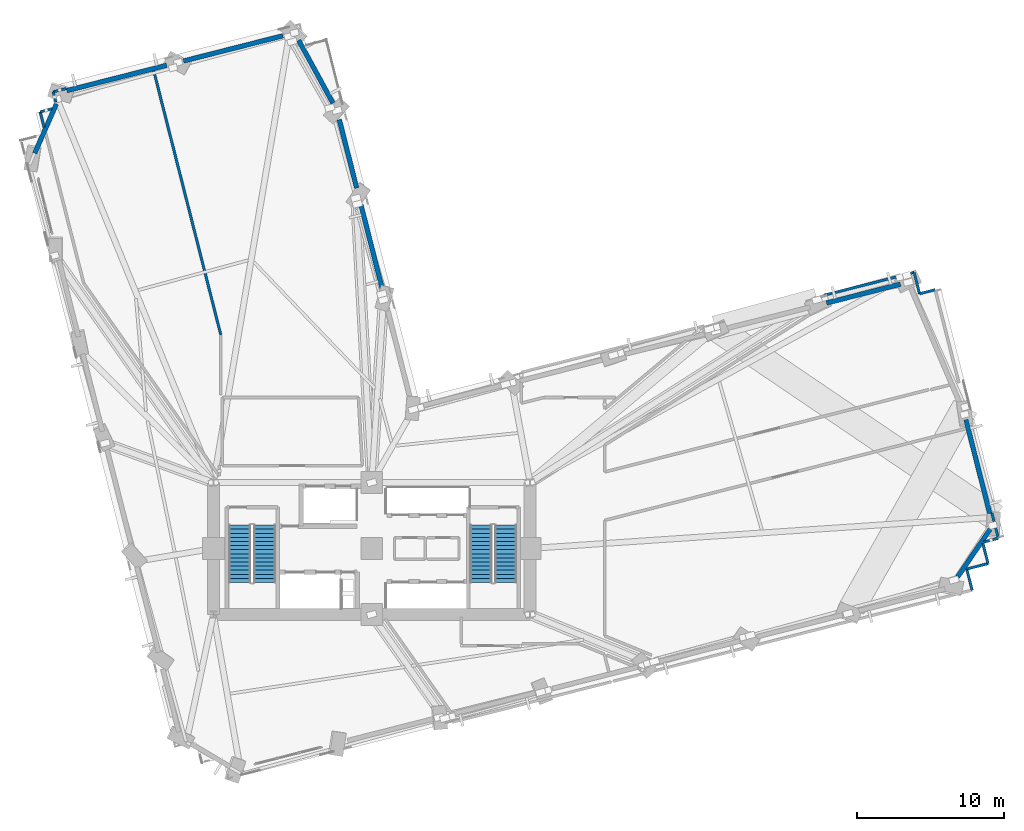
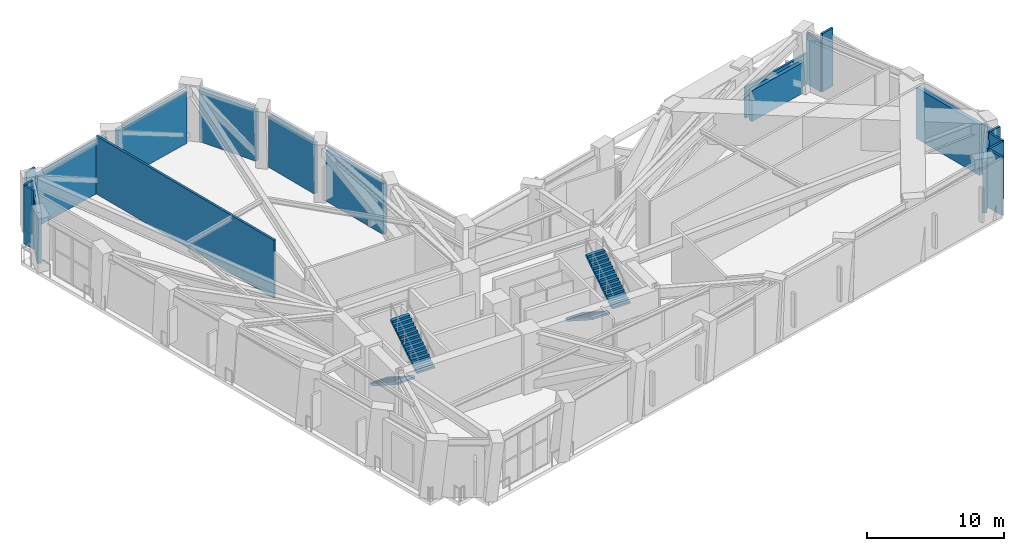
# One storey, part 12 of 17: 22 walls, 4 stair flights, 2 elements without a shape of their own.
"""IFC4 building model written with IfcOpenShell, lengths in metres."""

from ifc_helpers import new_model, si_unit, direction, frame, frame_2d, origin, place, context, subcontext, project, spatial, polyline, rectangle, outline, extrude, material, layer, layer_set, type_object, element, aggregate, save


model = new_model("IFC4")

# Units and contexts
model_context = context("Model", 3, precision=1e-05, world=origin(), true_north=direction((0.0, 1.0)))
body_context = subcontext(model_context, "Body", "Model", "MODEL_VIEW")
ifc_project = project(units=[si_unit("LENGTHUNIT", "METRE"), si_unit("AREAUNIT", "SQUARE_METRE"), si_unit("VOLUMEUNIT", "CUBIC_METRE"), si_unit("PLANEANGLEUNIT", "RADIAN"), si_unit("MASSUNIT", "GRAM", prefix="KILO")], contexts=[model_context])

# Site, building, storey
site_placement = place(None, origin())
site = spatial("IfcSite", under=ifc_project, at=site_placement, CompositionType="ELEMENT")
building_placement = place(site_placement, origin())
building = spatial("IfcBuilding", under=site, at=building_placement, Name="Gaonmaruhae Medical Tower", CompositionType="ELEMENT")
storey_placement = place(building_placement, frame((0.0, 0.0, 83.0)))
storey = spatial("IfcBuildingStorey", under=building, at=storey_placement, Name="L19", CompositionType="ELEMENT", Elevation=83.0)

# Walls
ifc_material_1 = material(Name="Precast concrete C45/55", Category="concrete")
ifc_layer_1 = layer(ifc_material_1, 0.320068359375)
ifc_layer_set_1 = layer_set([ifc_layer_1], Name="Precast concrete C45/55")
wall_type_1 = type_object("IfcWallType", Name="EW-320 Lower Precast Masonry-Frame Facade Wall", PredefinedType="SOLIDWALL", material=ifc_layer_set_1)
wall_1_placement = place(storey_placement, frame((66.990234375, 13.61181640625, 0.0), z_axis=(0.0, 0.0, 1.0), x_axis=(-0.563562481337, -0.826073440821, 0.0)))
element("IfcWall", 1, at=wall_1_placement, inside=storey, type_object=wall_type_1, Name="L19 Precast Masonry-Frame Wall S08-E01", PredefinedType="SOLIDWALL", context=body_context, shape_type="SweptSolid", body=[
    extrude(rectangle(XDim=3.927490234375, YDim=0.320068359375, at=frame_2d((1.9638671875, 0.0))), origin(), (0.0, 0.0, 1.0), 4.544921875),
])
wall_2_placement = place(storey_placement, frame((65.33837890625, 21.095458984375, 0.0), z_axis=(0.0, 0.0, 1.0), x_axis=(0.246166513037, -0.969227552156, 0.0)))
element("IfcWall", 2, at=wall_2_placement, inside=storey, type_object=wall_type_1, Name="L19 Precast Masonry-Frame Wall E01-E02", PredefinedType="SOLIDWALL", context=body_context, shape_type="SweptSolid", body=[
    extrude(rectangle(XDim=6.610107421875, YDim=0.320068359375, at=frame_2d((3.30517578125, 0.0))), origin(), (0.0, 0.0, 1.0), 4.544921875),
])
wall_3_placement = place(storey_placement, frame((55.826904296875, 29.052001953125, 0.0), z_axis=(0.0, 0.0, 1.0), x_axis=(0.969228639236, 0.246162232858, 0.0)))
element("IfcWall", 3, at=wall_3_placement, inside=storey, type_object=wall_type_1, Name="L19 Precast Masonry-Frame Wall E03-EN01", PredefinedType="SOLIDWALL", context=body_context, shape_type="SweptSolid", body=[
    extrude(rectangle(XDim=5.208984375, YDim=0.320068359375, at=frame_2d((2.6044921875, 0.0))), origin(), (0.0, 0.0, 1.0), 2.7451171875),
])
wall_4_placement = place(storey_placement, frame((25.54052734375, 29.9248046875, 0.0), z_axis=(0.0, 0.0, 1.0), x_axis=(-0.246155060338, 0.969230460866, 0.0)))
element("IfcWall", 4, at=wall_4_placement, inside=storey, type_object=wall_type_1, Name="L19 Precast Masonry-Frame Wall NE01-NE02", PredefinedType="SOLIDWALL", context=body_context, shape_type="SweptSolid", body=[
    extrude(rectangle(XDim=5.99658203125, YDim=0.320068359375, at=frame_2d((2.998291015625, 0.0))), origin(), (0.0, 0.0, 1.0), 4.56494140625),
])
wall_5_placement = place(storey_placement, frame((23.7705078125, 36.894775390625, 0.0), z_axis=(0.0, 0.0, 1.0), x_axis=(-0.246207512537, 0.969217138091, 0.0)))
element("IfcWall", 5, at=wall_5_placement, inside=storey, type_object=wall_type_1, Name="L19 Precast Masonry-Frame Wall NE02-NE03", PredefinedType="SOLIDWALL", context=body_context, shape_type="SweptSolid", body=[
    extrude(rectangle(XDim=4.816162109375, YDim=0.320068359375, at=frame_2d((2.408203125, 0.0))), origin(), (0.0, 0.0, 1.0), 4.56494140625),
])
wall_6_placement = place(storey_placement, frame((19.811279296875, 46.975830078125, 0.0), z_axis=(0.0, 0.0, 1.0), x_axis=(0.479163502838, -0.877725661895, 0.0)))
element("IfcWall", 6, at=wall_6_placement, inside=storey, type_object=wall_type_1, Name="L19 Precast Masonry-Frame Wall NE03-N01", PredefinedType="SOLIDWALL", context=body_context, shape_type="SweptSolid", body=[
    extrude(rectangle(XDim=4.888671875, YDim=0.320068359375, at=frame_2d((2.4443359375, 0.0))), origin(), (0.0, 0.0, 1.0), 4.56494140625),
])
wall_7_placement = place(storey_placement, frame((11.9560546875, 45.56103515625, 0.0), z_axis=(0.0, 0.0, 1.0), x_axis=(0.96922931698, 0.246159564319, 0.0)))
element("IfcWall", 7, at=wall_7_placement, inside=storey, type_object=wall_type_1, Name="L19 Precast Masonry-Frame Wall N01-N02", PredefinedType="SOLIDWALL", context=body_context, shape_type="SweptSolid", body=[
    extrude(rectangle(XDim=7.003173828125, YDim=0.320068359375, at=frame_2d((3.50146484375, 0.0))), origin(), (0.0, 0.0, 1.0), 4.56494140625),
])
wall_8_placement = place(storey_placement, frame((3.98974609375, 43.537841796875, 0.0), z_axis=(0.0, 0.0, 1.0), x_axis=(0.969227220519, 0.246167818783, 0.0)))
element("IfcWall", 8, at=wall_8_placement, inside=storey, type_object=wall_type_1, Name="L19 Precast Masonry-Frame Wall N02-N03", PredefinedType="SOLIDWALL", context=body_context, shape_type="SweptSolid", body=[
    extrude(rectangle(XDim=7.03466796875, YDim=0.320068359375, at=frame_2d((3.517333984375, 0.0))), origin(), (0.0, 0.0, 1.0), 4.56494140625),
])
wall_9_placement = place(storey_placement, frame((1.805419921875, 39.27001953125, 0.0), z_axis=(0.0, 0.0, 1.0), x_axis=(0.40157330608, 0.915826883119, 0.0)))
element("IfcWall", 9, at=wall_9_placement, inside=storey, type_object=wall_type_1, Name="L19 Precast Masonry-Frame Wall N03-W01", PredefinedType="SOLIDWALL", context=body_context, shape_type="SweptSolid", body=[
    extrude(rectangle(XDim=3.666015625, YDim=0.320068359375, at=frame_2d((1.8330078125, 0.0))), origin(), (0.0, 0.0, 1.0), 4.56494140625),
])
ifc_material_2 = material(Name="Gypsum board partition", Category="gypsum")
ifc_layer_2 = layer(ifc_material_2, 0.179931640625)
ifc_layer_set_2 = layer_set([ifc_layer_2], Name="Gypsum board partition")
wall_type_2 = type_object("IfcWallType", Name="PW-180 Refuge & Plant Acoustic Fire Partition", PredefinedType="PARTITIONING", material=ifc_layer_set_2)
wall_10_placement = place(storey_placement, frame((67.111083984375, 14.72607421875, 0.0), z_axis=(0.0, 0.0, 1.0), x_axis=(0.246166068028, -0.969227665181, 0.0)))
element("IfcWall", 10, at=wall_10_placement, inside=storey, type_object=wall_type_2, Name="L19 Interior Partition L19-AHU-29", PredefinedType="PARTITIONING", context=body_context, shape_type="SweptSolid", body=[
    extrude(rectangle(XDim=1.787109375, YDim=0.179931640625, at=frame_2d((0.8935546875, 0.0))), origin(), (0.0, 0.0, 1.0), 4.544921875),
])
wall_11_placement = place(storey_placement, frame((67.551025390625, 12.993896484375, 0.0), z_axis=(0.0, 0.0, 1.0), x_axis=(-0.969165631774, -0.246410182801, 0.0)))
element("IfcWall", 11, at=wall_11_placement, inside=storey, type_object=wall_type_2, Name="L19 Interior Partition L19-AHU-30", PredefinedType="PARTITIONING", context=body_context, shape_type="SweptSolid", body=[
    extrude(rectangle(XDim=1.0224609375, YDim=0.179931640625, at=frame_2d((0.51123046875, 0.0))), origin(), (0.0, 0.0, 1.0), 5.179931640625),
])
wall_12_placement = place(storey_placement, frame((66.501953125, 12.656982421875, 0.0), z_axis=(0.0, 0.0, 1.0), x_axis=(0.245864001787, -0.969304334368, 0.0)))
element("IfcWall", 12, at=wall_12_placement, inside=storey, type_object=wall_type_2, Name="L19 Interior Partition L19-AHU-31", PredefinedType="PARTITIONING", context=body_context, shape_type="SweptSolid", body=[
    extrude(rectangle(XDim=1.431884765625, YDim=0.179931640625, at=frame_2d((0.7158203125, 0.0))), origin(), (0.0, 0.0, 1.0), 5.179931640625),
])
wall_13_placement = place(storey_placement, frame((66.85400390625, 11.26904296875, 0.0), z_axis=(0.0, 0.0, 1.0), x_axis=(-0.969255415499, -0.246056781101, 0.0)))
element("IfcWall", 13, at=wall_13_placement, inside=storey, type_object=wall_type_2, Name="L19 Interior Partition L19-AHU-32", PredefinedType="PARTITIONING", context=body_context, shape_type="SweptSolid", body=[
    extrude(rectangle(XDim=1.500244140625, YDim=0.179931640625, at=frame_2d((0.75, 0.0))), origin(), (0.0, 0.0, 1.0), 5.179931640625),
])
wall_14_placement = place(storey_placement, frame((65.39990234375, 10.89990234375, 0.0), z_axis=(0.0, 0.0, 1.0), x_axis=(0.24609559823, -0.969245560491, 0.0)))
element("IfcWall", 14, at=wall_14_placement, inside=storey, type_object=wall_type_2, Name="L19 Interior Partition L19-AHU-33", PredefinedType="PARTITIONING", context=body_context, shape_type="SweptSolid", body=[
    extrude(rectangle(XDim=1.5, YDim=0.179931640625, at=frame_2d((0.75, 0.0))), origin(), (0.0, 0.0, 1.0), 5.179931640625),
])
wall_15_placement = place(storey_placement, frame((55.6708984375, 29.580078125, 0.0), z_axis=(0.0, 0.0, 1.0), x_axis=(0.969260695531, 0.24603598131, 0.0)))
element("IfcWall", 15, at=wall_15_placement, inside=storey, type_object=wall_type_2, Name="L19 Interior Partition L19-PUMP-40", PredefinedType="PARTITIONING", context=body_context, shape_type="SweptSolid", body=[
    extrude(rectangle(XDim=6.331787109375, YDim=0.179931640625, at=frame_2d((3.166015625, 0.0))), origin(), (0.0, 0.0, 1.0), 2.7451171875),
])
wall_16_placement = place(storey_placement, frame((61.80810546875, 31.137939453125, 0.0), z_axis=(0.0, 0.0, 1.0), x_axis=(0.246097987759, -0.969244953776, 0.0)))
element("IfcWall", 16, at=wall_16_placement, inside=storey, type_object=wall_type_2, Name="L19 Interior Partition L19-PUMP-41", PredefinedType="PARTITIONING", context=body_context, shape_type="SweptSolid", body=[
    extrude(rectangle(XDim=1.4990234375, YDim=0.179931640625, at=frame_2d((0.74951171875, 0.0))), origin(), (0.0, 0.0, 1.0), 4.544921875),
])
wall_17_placement = place(storey_placement, frame((62.177001953125, 29.68505859375, 0.0), z_axis=(0.0, 0.0, 1.0), x_axis=(0.969380256267, 0.245564490021, 0.0)))
element("IfcWall", 17, at=wall_17_placement, inside=storey, type_object=wall_type_2, Name="L19 Interior Partition L19-PUMP-42", PredefinedType="PARTITIONING", context=body_context, shape_type="SweptSolid", body=[
    extrude(rectangle(XDim=1.099609375, YDim=0.179931640625, at=frame_2d((0.5498046875, 0.0))), origin(), (0.0, 0.0, 1.0), 5.179931640625),
])
wall_18_placement = place(storey_placement, frame((3.068115234375, 43.4580078125, 0.0), z_axis=(0.0, 0.0, 1.0), x_axis=(0.969127387268, 0.246560554929, 0.0)))
element("IfcWall", 18, at=wall_18_placement, inside=storey, type_object=wall_type_2, Name="L19 Interior Partition L19-ELEC-53", PredefinedType="PARTITIONING", context=body_context, shape_type="SweptSolid", body=[
    extrude(rectangle(XDim=0.912841796875, YDim=0.179931640625, at=frame_2d((0.45654296875, 0.0))), origin(), (0.0, 0.0, 1.0), 5.179931640625),
])
wall_19_placement = place(storey_placement, frame((9.922119140625, 44.905029296875, 0.0), z_axis=(0.0, 0.0, 1.0), x_axis=(0.24617283507, -0.969225946451, 0.0)))
element("IfcWall", 19, at=wall_19_placement, inside=storey, type_object=wall_type_2, Name="L19 Interior Partition L19-ELEC-54", PredefinedType="PARTITIONING", context=body_context, shape_type="SweptSolid", body=[
    extrude(rectangle(XDim=18.59619140625, YDim=0.179931640625, at=frame_2d((9.298095703125, 0.0))), origin(), (0.0, 0.0, 1.0), 5.179931640625),
])
wall_20_placement = place(storey_placement, frame((2.43994140625, 41.052978515625, 0.0), z_axis=(0.0, 0.0, 1.0), x_axis=(-0.245947655796, 0.96928311169, 0.0)))
element("IfcWall", 20, at=wall_20_placement, inside=storey, type_object=wall_type_2, Name="L19 Interior Partition L19-ELEC-59", PredefinedType="PARTITIONING", context=body_context, shape_type="SweptSolid", body=[
    extrude(rectangle(XDim=1.0771484375, YDim=0.179931640625, at=frame_2d((0.53857421875, 0.0))), origin(), (0.0, 0.0, 1.0), 5.179931640625),
])
wall_21_placement = place(storey_placement, frame((2.175048828125, 42.096923828125, 0.0), z_axis=(0.0, 0.0, 1.0), x_axis=(0.969349712408, 0.245685032214, 0.0)))
element("IfcWall", 21, at=wall_21_placement, inside=storey, type_object=wall_type_2, Name="L19 Interior Partition L19-ELEC-60", PredefinedType="PARTITIONING", context=body_context, shape_type="SweptSolid", body=[
    extrude(rectangle(XDim=0.838623046875, YDim=0.179931640625, at=frame_2d((0.41943359375, 0.0))), origin(), (0.0, 0.0, 1.0), 5.179931640625),
])
wall_22_placement = place(storey_placement, frame((3.2451171875, 42.758056640625, 0.0), z_axis=(0.0, 0.0, 1.0), x_axis=(-0.245160389611, 0.969482533812, 0.0)))
element("IfcWall", 22, at=wall_22_placement, inside=storey, type_object=wall_type_2, Name="L19 Interior Partition L19-ELEC-61", PredefinedType="PARTITIONING", context=body_context, shape_type="SweptSolid", body=[
    extrude(rectangle(XDim=0.721923828125, YDim=0.179931640625, at=frame_2d((0.36083984375, 0.0))), origin(), (0.0, 0.0, 1.0), 4.1650390625),
])

# Stair, stair flights
ifc_material_3 = material(Name="Concrete C40/50", Category="concrete")
stair_type = type_object("IfcStairType", Name="ST-T1 Primary Core Escape Dogleg Stair", PredefinedType="TWO_QUARTER_TURN_STAIR", material=ifc_material_3)
stair_1_placement = place(storey_placement, origin())
stair_1 = element("IfcStair", 23, at=stair_1_placement, inside=storey, type_object=stair_type, Name="L19 Protected Escape Stair ST-01", PredefinedType="TWO_QUARTER_TURN_STAIR")
stair_flight_type = type_object("IfcStairFlightType", Name="SF-T1 Primary Core Precast Stair Flight", PredefinedType="STRAIGHT", material=ifc_material_3)
stair_flight_1_placement = place(storey_placement, frame((15.800048828125, 13.89990234375, 0.0), z_axis=(0.0, 0.0, 1.0), x_axis=(0.0, -1.0, 0.0)))
stair_flight_1 = element("IfcStairFlight", 24, at=stair_flight_1_placement, type_object=stair_flight_type, Name="ST-01 flight 1", NumberOfRisers=15, NumberOfTreads=14, PredefinedType="STRAIGHT", RiserHeight=0.18, TreadLength=0.28, context=body_context, shape_type="SweptSolid", body=[
    extrude(outline(polyline([(0.0, 0.0), (0.0, 0.179931640625), (0.280029296875, 0.179931640625), (0.280029296875, 0.360107421875), (0.56005859375, 0.360107421875), (0.56005859375, 0.5400390625), (0.840087890625, 0.5400390625), (0.840087890625, 0.719970703125), (1.1201171875, 0.719970703125), (1.1201171875, 0.89990234375), (1.39990234375, 0.89990234375), (1.39990234375, 1.080078125), (1.679931640625, 1.080078125), (1.679931640625, 1.260009765625), (1.9599609375, 1.260009765625), (1.9599609375, 1.43994140625), (2.239990234375, 1.43994140625), (2.239990234375, 1.6201171875), (2.52001953125, 1.6201171875), (2.52001953125, 1.800048828125), (2.800048828125, 1.800048828125), (2.800048828125, 1.97998046875), (3.080078125, 1.97998046875), (3.080078125, 2.159912109375), (3.360107421875, 2.159912109375), (3.360107421875, 2.340087890625), (3.639892578125, 2.340087890625), (3.639892578125, 2.52001953125), (3.919921875, 2.52001953125), (3.919921875, 2.699951171875), (3.919921875, 2.341796875), (0.277099609375, 0.0), (0.0, 0.0)])), frame((0.0, 0.75, 0.0), z_axis=(0.0, -1.0, 0.0), x_axis=(1.0, 0.0, 0.0)), (0.0, 0.0, 1.0), 1.5),
])
stair_flight_2_placement = place(storey_placement, frame((17.5, 9.97998046875, 2.699951171875), z_axis=(0.0, 0.0, 1.0), x_axis=(0.0, 1.0, 0.0)))
stair_flight_2 = element("IfcStairFlight", 25, at=stair_flight_2_placement, type_object=stair_flight_type, Name="ST-01 flight 2", NumberOfRisers=15, NumberOfTreads=14, PredefinedType="STRAIGHT", RiserHeight=0.18, TreadLength=0.28, context=body_context, shape_type="SweptSolid", body=[
    extrude(outline(polyline([(0.0, 0.0), (0.0, 0.179931640625), (0.280029296875, 0.179931640625), (0.280029296875, 0.360107421875), (0.56005859375, 0.360107421875), (0.56005859375, 0.5400390625), (0.840087890625, 0.5400390625), (0.840087890625, 0.719970703125), (1.1201171875, 0.719970703125), (1.1201171875, 0.89990234375), (1.39990234375, 0.89990234375), (1.39990234375, 1.080078125), (1.679931640625, 1.080078125), (1.679931640625, 1.260009765625), (1.9599609375, 1.260009765625), (1.9599609375, 1.43994140625), (2.239990234375, 1.43994140625), (2.239990234375, 1.6201171875), (2.52001953125, 1.6201171875), (2.52001953125, 1.800048828125), (2.800048828125, 1.800048828125), (2.800048828125, 1.97998046875), (3.080078125, 1.97998046875), (3.080078125, 2.159912109375), (3.360107421875, 2.159912109375), (3.360107421875, 2.340087890625), (3.639892578125, 2.340087890625), (3.639892578125, 2.52001953125), (3.919921875, 2.52001953125), (3.919921875, 2.699951171875), (3.919921875, 2.341796875), (0.277099609375, 0.0), (0.0, 0.0)])), frame((0.0, 0.75, 0.0), z_axis=(0.0, -1.0, 0.0), x_axis=(1.0, 0.0, 0.0)), (0.0, 0.0, 1.0), 1.5),
])
aggregate(stair_1, [stair_flight_1, stair_flight_2])

stair_2_placement = place(storey_placement, origin())
stair_2 = element("IfcStair", 26, at=stair_2_placement, inside=storey, type_object=stair_type, Name="L19 Protected Escape Stair ST-02", PredefinedType="TWO_QUARTER_TURN_STAIR")
stair_flight_3_placement = place(storey_placement, frame((32.25, 13.89990234375, 0.0), z_axis=(0.0, 0.0, 1.0), x_axis=(0.0, -1.0, 0.0)))
stair_flight_3 = element("IfcStairFlight", 27, at=stair_flight_3_placement, type_object=stair_flight_type, Name="ST-02 flight 1", NumberOfRisers=15, NumberOfTreads=14, PredefinedType="STRAIGHT", RiserHeight=0.18, TreadLength=0.28, context=body_context, shape_type="SweptSolid", body=[
    extrude(outline(polyline([(0.0, 0.0), (0.0, 0.179931640625), (0.280029296875, 0.179931640625), (0.280029296875, 0.360107421875), (0.56005859375, 0.360107421875), (0.56005859375, 0.5400390625), (0.840087890625, 0.5400390625), (0.840087890625, 0.719970703125), (1.1201171875, 0.719970703125), (1.1201171875, 0.89990234375), (1.39990234375, 0.89990234375), (1.39990234375, 1.080078125), (1.679931640625, 1.080078125), (1.679931640625, 1.260009765625), (1.9599609375, 1.260009765625), (1.9599609375, 1.43994140625), (2.239990234375, 1.43994140625), (2.239990234375, 1.6201171875), (2.52001953125, 1.6201171875), (2.52001953125, 1.800048828125), (2.800048828125, 1.800048828125), (2.800048828125, 1.97998046875), (3.080078125, 1.97998046875), (3.080078125, 2.159912109375), (3.360107421875, 2.159912109375), (3.360107421875, 2.340087890625), (3.639892578125, 2.340087890625), (3.639892578125, 2.52001953125), (3.919921875, 2.52001953125), (3.919921875, 2.699951171875), (3.919921875, 2.341796875), (0.277099609375, 0.0), (0.0, 0.0)])), frame((0.0, 0.75, 0.0), z_axis=(0.0, -1.0, 0.0), x_axis=(1.0, 0.0, 0.0)), (0.0, 0.0, 1.0), 1.5),
])
stair_flight_4_placement = place(storey_placement, frame((33.949951171875, 9.97998046875, 2.699951171875), z_axis=(0.0, 0.0, 1.0), x_axis=(0.0, 1.0, 0.0)))
stair_flight_4 = element("IfcStairFlight", 28, at=stair_flight_4_placement, type_object=stair_flight_type, Name="ST-02 flight 2", NumberOfRisers=15, NumberOfTreads=14, PredefinedType="STRAIGHT", RiserHeight=0.18, TreadLength=0.28, context=body_context, shape_type="SweptSolid", body=[
    extrude(outline(polyline([(0.0, 0.0), (0.0, 0.179931640625), (0.280029296875, 0.179931640625), (0.280029296875, 0.360107421875), (0.56005859375, 0.360107421875), (0.56005859375, 0.5400390625), (0.840087890625, 0.5400390625), (0.840087890625, 0.719970703125), (1.1201171875, 0.719970703125), (1.1201171875, 0.89990234375), (1.39990234375, 0.89990234375), (1.39990234375, 1.080078125), (1.679931640625, 1.080078125), (1.679931640625, 1.260009765625), (1.9599609375, 1.260009765625), (1.9599609375, 1.43994140625), (2.239990234375, 1.43994140625), (2.239990234375, 1.6201171875), (2.52001953125, 1.6201171875), (2.52001953125, 1.800048828125), (2.800048828125, 1.800048828125), (2.800048828125, 1.97998046875), (3.080078125, 1.97998046875), (3.080078125, 2.159912109375), (3.360107421875, 2.159912109375), (3.360107421875, 2.340087890625), (3.639892578125, 2.340087890625), (3.639892578125, 2.52001953125), (3.919921875, 2.52001953125), (3.919921875, 2.699951171875), (3.919921875, 2.341796875), (0.277099609375, 0.0), (0.0, 0.0)])), frame((0.0, 0.75, 0.0), z_axis=(0.0, -1.0, 0.0), x_axis=(1.0, 0.0, 0.0)), (0.0, 0.0, 1.0), 1.5),
])
aggregate(stair_2, [stair_flight_3, stair_flight_4])

save(model, "model.ifc")
